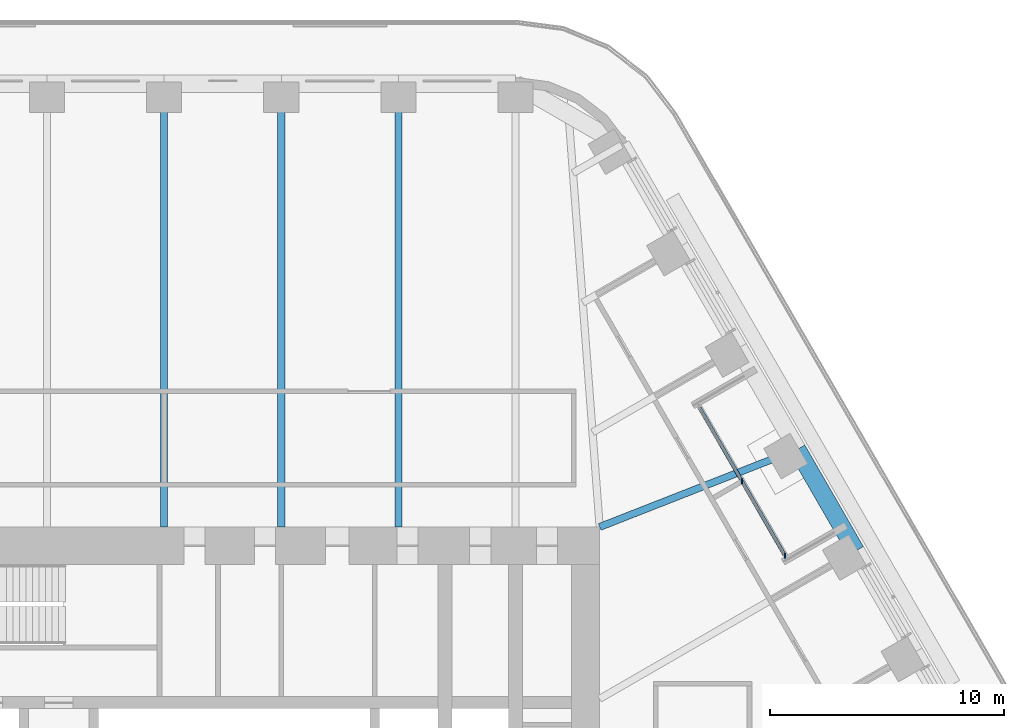
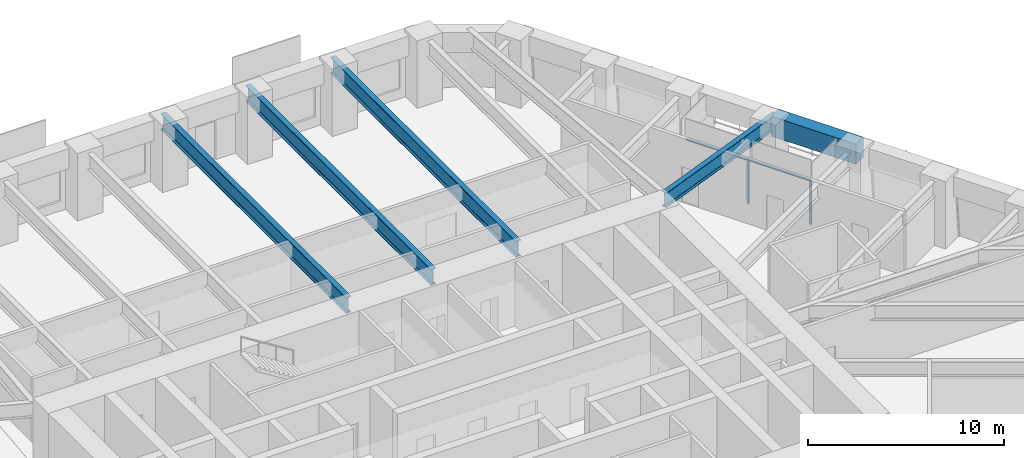
# One storey, part 11 of 24: 5 beams, 3 members, 1 element without a shape of its own.
"""IFC4 building model written with IfcOpenShell, lengths in metres."""

from ifc_helpers import new_model, si_unit, direction, frame, origin, origin_2d, place, context, subcontext, project, spatial, rectangle, i_section, extrude, material, material_profile, profile_set, type_object, element, aggregate, save


model = new_model("IFC4")

# Units and contexts
model_context = context("Model", 3, precision=1e-05, world=origin(), true_north=direction((0.0, 1.0)))
body_context = subcontext(model_context, "Body", "Model", "MODEL_VIEW")
ifc_project = project(units=[si_unit("LENGTHUNIT", "METRE"), si_unit("AREAUNIT", "SQUARE_METRE"), si_unit("VOLUMEUNIT", "CUBIC_METRE"), si_unit("PLANEANGLEUNIT", "RADIAN"), si_unit("MASSUNIT", "GRAM", prefix="KILO")], contexts=[model_context])

# Site, building, storey
site_placement = place(None, origin())
site = spatial("IfcSite", under=ifc_project, at=site_placement, CompositionType="ELEMENT")
building_placement = place(site_placement, origin())
building = spatial("IfcBuilding", under=site, at=building_placement, Name="Tarfa Lantern Tower", CompositionType="ELEMENT")
storey_placement = place(building_placement, frame((0.0, 0.0, 186.699951171875)))
storey = spatial("IfcBuildingStorey", under=building, at=storey_placement, Name="L42", CompositionType="ELEMENT", Elevation=186.699951171875)

# Curtain wall, members
ifc_material_1 = material(Name="Aluminium framed curtain wall", Category="aluminium")
curtain_wall_type = type_object("IfcCurtainWallType", Name="CW10 LOGGIA GLAZING 2750", PredefinedType="USERDEFINED", material=ifc_material_1)
curtain_wall_placement = place(storey_placement, origin())
curtain_wall = element("IfcCurtainWall", 1, at=curtain_wall_placement, inside=storey, type_object=curtain_wall_type, Name="CW10 NEL L42", ObjectType="CURTAIN WALL", PredefinedType="USERDEFINED")
ifc_material_2 = material(Name="Aluminium mullion", Category="aluminium")
ifc_material_profile_1 = material_profile(ifc_material_2, rectangle(XDim=0.06494140625, YDim=0.199951171875, at=origin_2d()), Name="AL MULLION 65x200")
ifc_profile_set_1 = profile_set([ifc_material_profile_1], Name="Aluminium mullion")
member_type_1 = type_object("IfcMemberType", Name="CWM1 MULLION 65x200", PredefinedType="MULLION", material=ifc_profile_set_1)
member_1_placement = place(storey_placement, frame((26.517333984375, 11.070556640625, 0.0), z_axis=(0.0, 0.0, 1.0), x_axis=(1.0, 0.0, 0.0)))
member_1 = element("IfcMember", 2, at=member_1_placement, type_object=member_type_1, Name="CW10 mullion 1", PredefinedType="MULLION", context=body_context, shape_type="SweptSolid", body=[
    extrude(rectangle(XDim=0.06494140625, YDim=0.199951171875, at=origin_2d()), origin(), (0.0, 0.0, 1.0), 2.75),
])
member_2_placement = place(storey_placement, frame((24.681640625, 14.25, 0.0), z_axis=(0.0, 0.0, 1.0), x_axis=(1.0, 0.0, 0.0)))
member_2 = element("IfcMember", 3, at=member_2_placement, type_object=member_type_1, Name="CW10 mullion 2", PredefinedType="MULLION", context=body_context, shape_type="SweptSolid", body=[
    extrude(rectangle(XDim=0.06494140625, YDim=0.199951171875, at=origin_2d()), origin(), (0.0, 0.0, 1.0), 2.75),
])
ifc_material_3 = material(Name="Aluminium transom", Category="aluminium")
ifc_material_profile_2 = material_profile(ifc_material_3, rectangle(XDim=0.14990234375, YDim=0.06494140625, at=origin_2d()), Name="AL TRANSOM 150x65")
ifc_profile_set_2 = profile_set([ifc_material_profile_2], Name="Aluminium transom")
member_type_2 = type_object("IfcMemberType", Name="CWT1 TRANSOM 150x65", PredefinedType="USERDEFINED", material=ifc_profile_set_2)
member_3_placement = place(storey_placement, frame((26.5009765625, 11.098876953125, 2.717529296875), z_axis=(-0.500007048974, 0.866021334019, 0.0), x_axis=(-0.866021334019, -0.500007048974, 0.0)))
member_3 = element("IfcMember", 4, at=member_3_placement, type_object=member_type_2, Name="CW10 transom 1.2", ObjectType="TRANSOM", PredefinedType="USERDEFINED", context=body_context, shape_type="SweptSolid", body=[
    extrude(rectangle(XDim=0.14990234375, YDim=0.06494140625, at=origin_2d()), origin(), (0.0, 0.0, 1.0), 7.27734375),
])
aggregate(curtain_wall, [member_1, member_2, member_3])

# Beams
ifc_material_4 = material(Name="Concrete C80/95", Category="concrete")
ifc_material_profile_3 = material_profile(ifc_material_4, rectangle(XDim=0.75, YDim=1.25, at=origin_2d()), Name="RC 750x1250")
ifc_profile_set_3 = profile_set([ifc_material_profile_3], Name="Concrete C80/95")
beam_type_1 = type_object("IfcBeamType", Name="EB2 RC 750x1250", PredefinedType="SPANDREL", material=ifc_profile_set_3)
beam_1_placement = place(storey_placement, frame((29.5390625, 11.276611328125, 3.375), z_axis=(-0.499964603504, 0.866045838996, 0.0), x_axis=(-0.866045838996, -0.499964603504, 0.0)))
element("IfcBeam", 5, at=beam_1_placement, inside=storey, type_object=beam_type_1, Name="Edge beam NE2", PredefinedType="SPANDREL", context=body_context, shape_type="SweptSolid", body=[
    extrude(rectangle(XDim=0.75, YDim=1.25, at=origin_2d()), origin(), (0.0, 0.0, 1.0), 5.003662109375),
])
ifc_material_5 = material(Name="Steel S460M", Category="steel")
ifc_material_profile_4 = material_profile(ifc_material_5, i_section(OverallWidth=0.302001953125, OverallDepth=1.008056640625, WebThickness=0.02099609375, FlangeThickness=0.0400390625, FilletRadius=0.030029296875, at=origin_2d()), Name="UB1016x305x349")
ifc_profile_set_4 = profile_set([ifc_material_profile_4], Name="Steel S460M")
beam_type_2 = type_object("IfcBeamType", Name="UB1016x305x349", PredefinedType="BEAM", material=ifc_profile_set_4)
for number, where, z_axis, x_axis, name in (
    (6, (10.00732421875, 31.219970703125, 3.49609375), (0.0, -1.0, 0.0), (1.0, 0.0, 0.0), "Floor beam N1"),
    (7, (5.003662109375, 31.219970703125, 3.49609375), (0.0, -1.0, 0.0), (1.0, 0.0, 0.0), "Floor beam N2"),
    (8, (0.0, 31.219970703125, 3.49609375), (0.0, -1.0, 0.0), (1.0, 0.0, 0.0), "Floor beam N3"),
):
    element("IfcBeam", number, at=place(storey_placement, frame(where, z_axis=z_axis, x_axis=x_axis)), inside=storey, type_object=beam_type_2, Name=name, PredefinedType="BEAM", context=body_context, shape_type="SweptSolid", body=[
        extrude(i_section(OverallWidth=0.302001953125, OverallDepth=1.008056640625, WebThickness=0.02099609375, FlangeThickness=0.0400390625, FilletRadius=0.030029296875, at=origin_2d()), origin(), (0.0, 0.0, 1.0), 18.919921875),
    ])
ifc_material_profile_5 = material_profile(ifc_material_5, i_section(OverallWidth=0.305419921875, OverallDepth=0.91845703125, WebThickness=0.017333984375, FlangeThickness=0.02783203125, FilletRadius=0.01904296875, at=origin_2d()), Name="UB914x305x253")
ifc_profile_set_5 = profile_set([ifc_material_profile_5], Name="Steel S460M")
beam_type_3 = type_object("IfcBeamType", Name="UB914x305x253", PredefinedType="BEAM", material=ifc_profile_set_5)
beam_2_placement = place(storey_placement, frame((27.037353515625, 15.610107421875, 3.540771484375), z_axis=(-0.930923282782, -0.365214788274, 0.0), x_axis=(0.365214788274, -0.930923282782, 0.0)))
element("IfcBeam", 9, at=beam_2_placement, inside=storey, type_object=beam_type_3, Name="Floor beam NE3", PredefinedType="BEAM", context=body_context, shape_type="SweptSolid", body=[
    extrude(i_section(OverallWidth=0.305419921875, OverallDepth=0.91845703125, WebThickness=0.017333984375, FlangeThickness=0.02783203125, FilletRadius=0.01904296875, at=origin_2d()), origin(), (0.0, 0.0, 1.0), 9.063232421875),
])

save(model, "model.ifc")
